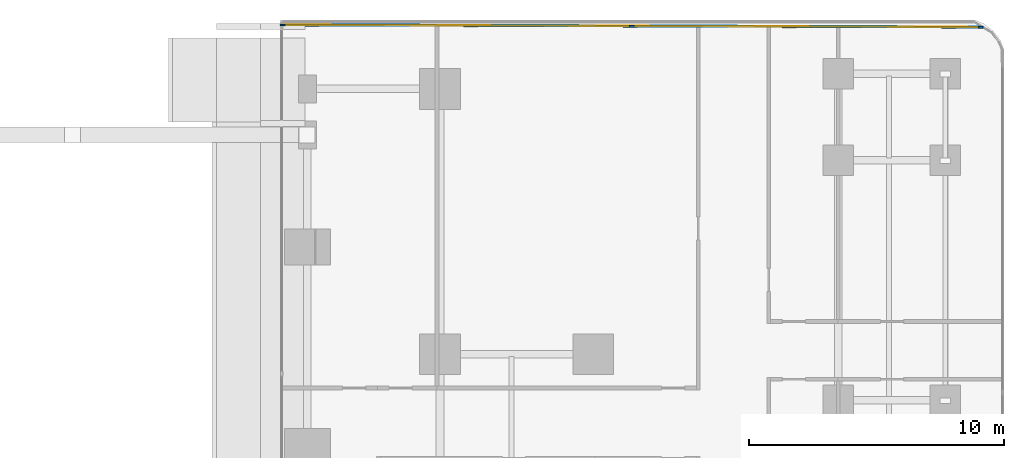
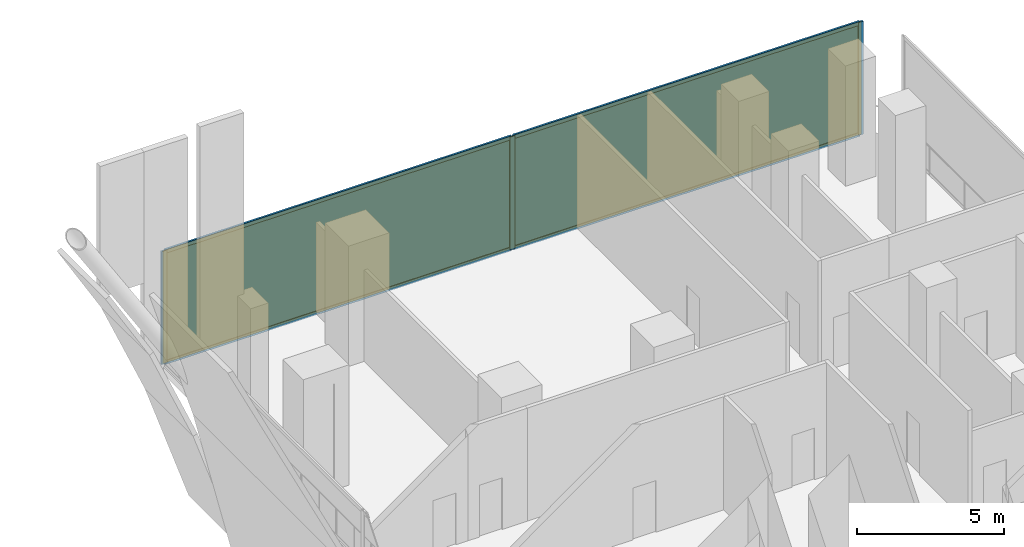
# One storey, part 18 of 31: 7 members, 2 plates, 1 curtain wall.
"""IFC4 building model written with IfcOpenShell, lengths in metres."""

from ifc_helpers import new_model, si_unit, direction, frame, frame_2d, origin, origin_2d, place, context, subcontext, project, spatial, rectangle, extrude, material, layer, layer_set, material_profile, profile_set, type_object, element, aggregate, save


model = new_model("IFC4")

# Units and contexts
model_context = context("Model", 3, precision=1e-05, world=origin(), true_north=direction((0.0, 1.0)))
body_context = subcontext(model_context, "Body", "Model", "MODEL_VIEW")
ifc_project = project(units=[si_unit("LENGTHUNIT", "METRE"), si_unit("AREAUNIT", "SQUARE_METRE"), si_unit("VOLUMEUNIT", "CUBIC_METRE"), si_unit("PLANEANGLEUNIT", "RADIAN"), si_unit("MASSUNIT", "GRAM", prefix="KILO")], contexts=[model_context])

# Member
ifc_material_1 = material(Name="Anodised Bronze Aluminium 6063-T6", Category="aluminium")
ifc_material_profile_1 = material_profile(ifc_material_1, rectangle(XDim=0.074951171875, YDim=0.199951171875, at=origin_2d()))
ifc_profile_set_1 = profile_set([ifc_material_profile_1], Name="Anodised Bronze Aluminium 6063-T6")
member_type_1 = type_object("IfcMemberType", Name="CW-POD Mullion 75x200", PredefinedType="MULLION", material=ifc_profile_set_1)
site_placement = place(None, origin())
building_placement = place(site_placement, origin())
storey_placement = place(building_placement, frame((0.0, 0.0, 6.0)))
member_1_placement = place(storey_placement, frame((8.237548828125, 27.304931640625, 0.0), z_axis=(0.0, 0.0, 1.0), x_axis=(0.003140108449, 0.999995069847, 0.0)))
member_1 = element("IfcMember", 1, at=member_1_placement, type_object=member_type_1, Name="CW-POD mullion 1", PredefinedType="MULLION", context=body_context, shape_type="SweptSolid", body=[
    extrude(rectangle(XDim=0.074951171875, YDim=0.199951171875, at=origin_2d()), origin(), (0.0, 0.0, 1.0), 4.699951171875),
])

member_2_placement = place(storey_placement, frame((21.90966796875, 27.261962890625, 0.0), z_axis=(0.0, 0.0, 1.0), x_axis=(0.003140108449, 0.999995069847, 0.0)))
member_2 = element("IfcMember", 2, at=member_2_placement, type_object=member_type_1, Name="CW-POD mullion 2", PredefinedType="MULLION", context=body_context, shape_type="SweptSolid", body=[
    extrude(rectangle(XDim=0.074951171875, YDim=0.199951171875, at=origin_2d()), origin(), (0.0, 0.0, 1.0), 4.699951171875),
])

member_3_placement = place(storey_placement, frame((35.581787109375, 27.21923828125, 0.0), z_axis=(0.0, 0.0, 1.0), x_axis=(0.003140108449, 0.999995069847, 0.0)))
member_3 = element("IfcMember", 3, at=member_3_placement, type_object=member_type_1, Name="CW-POD mullion 3", PredefinedType="MULLION", context=body_context, shape_type="SweptSolid", body=[
    extrude(rectangle(XDim=0.074951171875, YDim=0.199951171875, at=origin_2d()), origin(), (0.0, 0.0, 1.0), 4.699951171875),
])

ifc_material_2 = material(Name="Anodised Bronze Aluminium 6063-T6", Category="aluminium")
ifc_material_profile_2 = material_profile(ifc_material_2, rectangle(XDim=0.074951171875, YDim=0.159912109375, at=origin_2d()))
ifc_profile_set_2 = profile_set([ifc_material_profile_2], Name="Anodised Bronze Aluminium 6063-T6")
member_type_2 = type_object("IfcMemberType", Name="CW-POD Transom 75x160", PredefinedType="USERDEFINED", material=ifc_profile_set_2)
member_4_placement = place(storey_placement, frame((8.27490234375, 27.304931640625, 0.03759765625), z_axis=(0.999995063421, -0.003142154202, 0.0), x_axis=(0.003142154202, 0.999995063421, 0.0)))
member_4 = element("IfcMember", 4, at=member_4_placement, type_object=member_type_2, Name="CW-POD transom 1.1", ObjectType="TRANSOM", PredefinedType="USERDEFINED", context=body_context, shape_type="SweptSolid", body=[
    extrude(rectangle(XDim=0.074951171875, YDim=0.159912109375, at=origin_2d()), origin(), (0.0, 0.0, 1.0), 13.59716796875),
])

member_5_placement = place(storey_placement, frame((8.27490234375, 27.304931640625, 4.66259765625), z_axis=(0.999995063421, -0.003142154202, 0.0), x_axis=(0.003142154202, 0.999995063421, 0.0)))
member_5 = element("IfcMember", 5, at=member_5_placement, type_object=member_type_2, Name="CW-POD transom 1.2", ObjectType="TRANSOM", PredefinedType="USERDEFINED", context=body_context, shape_type="SweptSolid", body=[
    extrude(rectangle(XDim=0.074951171875, YDim=0.159912109375, at=origin_2d()), origin(), (0.0, 0.0, 1.0), 13.59716796875),
])

member_6_placement = place(storey_placement, frame((21.947265625, 27.261962890625, 0.03759765625), z_axis=(0.999995063244, -0.00314221062, 0.0), x_axis=(0.00314221062, 0.999995063244, 0.0)))
member_6 = element("IfcMember", 6, at=member_6_placement, type_object=member_type_2, Name="CW-POD transom 2.1", ObjectType="TRANSOM", PredefinedType="USERDEFINED", context=body_context, shape_type="SweptSolid", body=[
    extrude(rectangle(XDim=0.074951171875, YDim=0.159912109375, at=origin_2d()), origin(), (0.0, 0.0, 1.0), 13.596923828125),
])

member_7_placement = place(storey_placement, frame((21.947265625, 27.261962890625, 4.66259765625), z_axis=(0.999995063244, -0.00314221062, 0.0), x_axis=(0.00314221062, 0.999995063244, 0.0)))
member_7 = element("IfcMember", 7, at=member_7_placement, type_object=member_type_2, Name="CW-POD transom 2.2", ObjectType="TRANSOM", PredefinedType="USERDEFINED", context=body_context, shape_type="SweptSolid", body=[
    extrude(rectangle(XDim=0.074951171875, YDim=0.159912109375, at=origin_2d()), origin(), (0.0, 0.0, 1.0), 13.596923828125),
])

# Plate
ifc_material_3 = material(Name="Low-E Solar Control Laminated Glass", Category="glass")
ifc_layer_1 = layer(ifc_material_3, 0.031982421875, Name="Low-E Solar Control Laminated Glass")
ifc_layer_set_1 = layer_set([ifc_layer_1], Name="Low-E Solar Control Laminated Glass")
plate_type = type_object("IfcPlateType", Name="CW-POD Low-E Double Glazed Panel 32mm", PredefinedType="CURTAIN_PANEL", material=ifc_layer_set_1)
plate_1_placement = place(storey_placement, frame((15.073486328125, 27.283447265625, 0.0751953125), z_axis=(0.0, 0.0, 1.0), x_axis=(0.999995069847, -0.003140108449, 0.0)))
plate_1 = element("IfcPlate", 8, at=plate_1_placement, type_object=plate_type, Name="CW-POD panel 1.1", PredefinedType="CURTAIN_PANEL", context=body_context, shape_type="SweptSolid", body=[
    extrude(rectangle(XDim=13.59716796875, YDim=0.031982421875, at=origin_2d()), origin(), (0.0, 0.0, 1.0), 4.550048828125),
])

plate_2_placement = place(storey_placement, frame((28.74560546875, 27.240478515625, 0.0751953125), z_axis=(0.0, 0.0, 1.0), x_axis=(0.999995069847, -0.003140108449, 0.0)))
plate_2 = element("IfcPlate", 9, at=plate_2_placement, type_object=plate_type, Name="CW-POD panel 2.1", PredefinedType="CURTAIN_PANEL", context=body_context, shape_type="SweptSolid", body=[
    extrude(rectangle(XDim=13.59716796875, YDim=0.031982421875, at=origin_2d()), origin(), (0.0, 0.0, 1.0), 4.550048828125),
])

# Site, building, storey
site = spatial("IfcSite", under=ifc_project, at=site_placement, CompositionType="ELEMENT")
building = spatial("IfcBuilding", under=site, at=building_placement, Name="Khairoan Windgate Tower", CompositionType="ELEMENT")
storey = spatial("IfcBuildingStorey", under=building, at=storey_placement, Name="L02", CompositionType="ELEMENT", Elevation=6.0)

# Curtain wall
ifc_material_4 = material(Name="Anodised Bronze Aluminium 6063-T6", Category="aluminium")
ifc_layer_2 = layer(ifc_material_4, 0.199951171875, Name="Anodised Bronze Aluminium 6063-T6")
ifc_layer_set_2 = layer_set([ifc_layer_2], Name="Anodised Bronze Aluminium 6063-T6")
curtain_wall_type = type_object("IfcCurtainWallType", Name="Podium Arch Galleria Curtain Wall CW-POD", PredefinedType="NOTDEFINED", material=ifc_layer_set_2)
curtain_wall_placement = place(storey_placement, frame((8.199951171875, 27.30517578125, 0.0), z_axis=(0.0, 0.0, 1.0), x_axis=(0.999995060541, -0.003143070576, 0.0)))
curtain_wall = element("IfcCurtainWall", 10, at=curtain_wall_placement, inside=storey, type_object=curtain_wall_type, Name="L02 Sculpted Podium Wing Curtain Wall 2.2", PredefinedType="NOTDEFINED", context=body_context, shape_type="SweptSolid", body=[
    extrude(rectangle(XDim=27.419677734375, YDim=0.010009765625, at=frame_2d((13.7099609375, 0.0))), origin(), (0.0, 0.0, 1.0), 4.699951171875),
])

aggregate(curtain_wall, [member_1, member_2, member_3, member_4, member_5, plate_1, member_6, member_7, plate_2])

save(model, "model.ifc")
